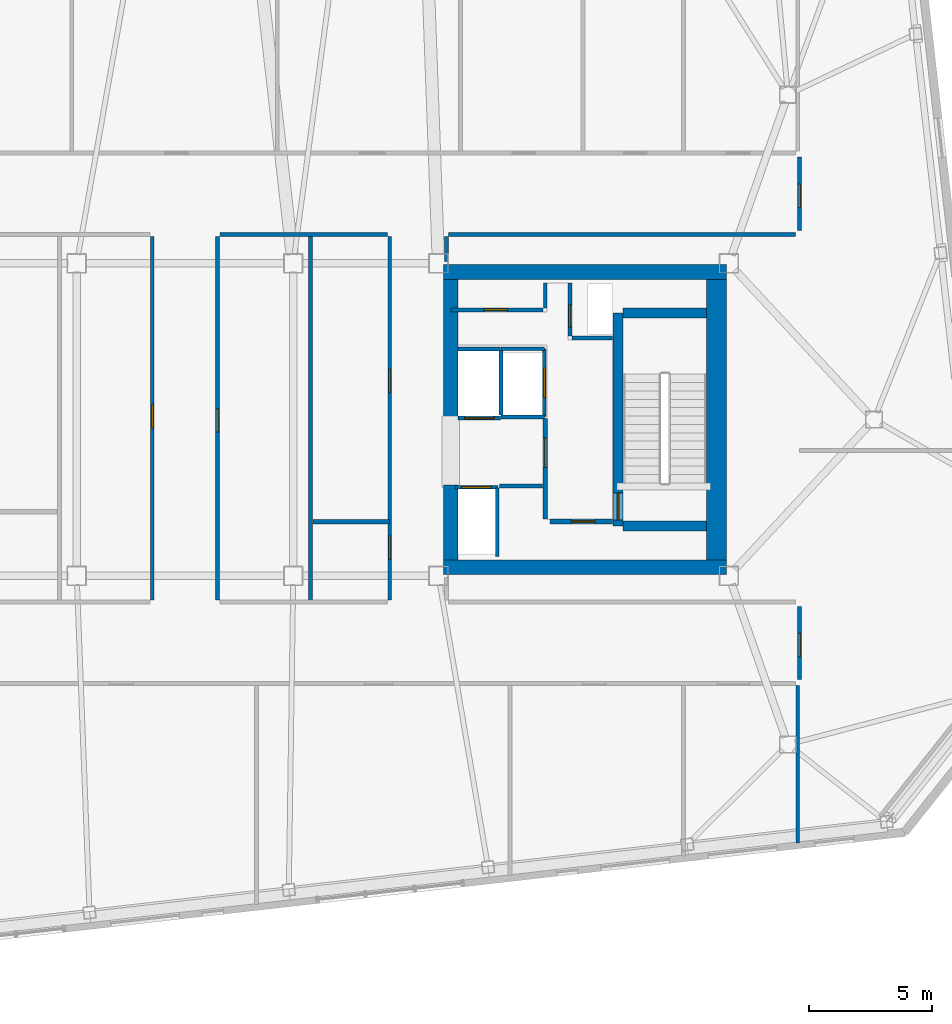
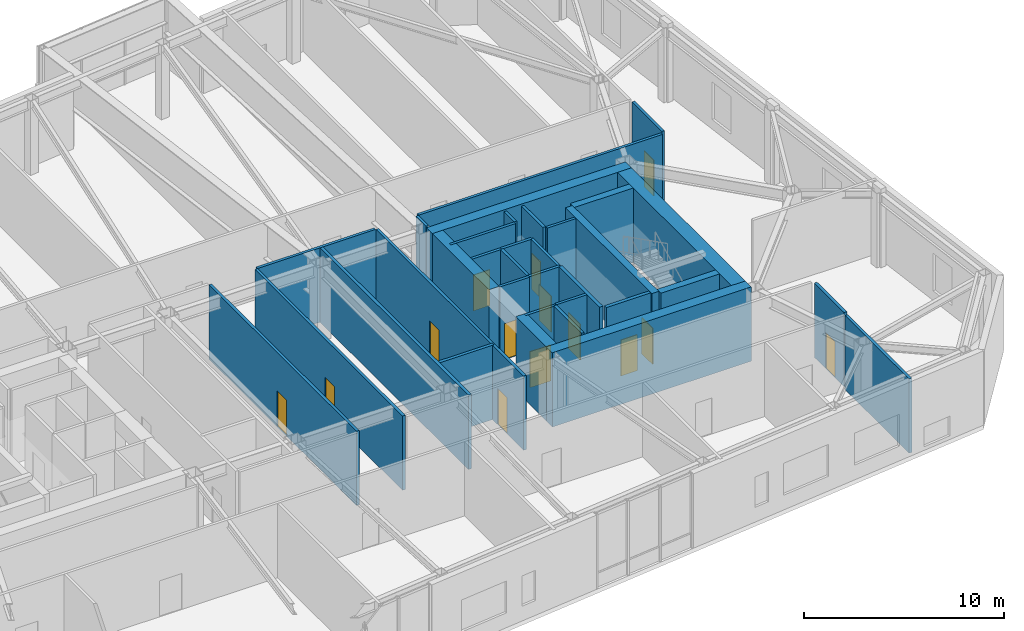
# One storey, part 16 of 21: 34 walls, 14 doors, 14 openings.
"""IFC4 building model written with IfcOpenShell, lengths in metres."""

import ifcopenshell
import ifcopenshell.guid

model = None  # the IFC model being written
_history = None  # IfcOwnerHistory: only IFC2X3 demands one
_inside = {}  # id of a spatial element -> (the spatial element, [elements in it])
_under = {}  # id of a project, library or spatial element -> (it, [spatial elements below it])
_declared = {}  # id of a project -> (the project, [libraries it declares])
_typed = {}  # id of a type object -> (the type object, [elements of that type])
_made_of = {}  # id of a material, layer set ... -> (it, [elements and type objects made of it])


def new_model(schema):
    """Start an empty IFC model of exactly this schema.

    Asked for "IFC4X3", IfcOpenShell would pick the latest addendum, in which some entities
    have other attributes; the version numbers below select the first issue.
    IFC2X3 requires an IfcOwnerHistory on every rooted entity: one is made here for all.
    """
    global model, _history
    if schema == "IFC4X3":
        model = ifcopenshell.file(schema_version=(4, 3, 0, 0))
    else:
        model = ifcopenshell.file(schema=schema)
    _inside.clear()
    _under.clear()
    _declared.clear()
    _typed.clear()
    _made_of.clear()
    _history = None
    if model.schema == "IFC2X3":
        org = make("IfcOrganization", Name="unknown")
        user = make(
            "IfcPersonAndOrganization",
            ThePerson=make("IfcPerson", FamilyName="unknown"),
            TheOrganization=org,
        )
        app = make(
            "IfcApplication",
            ApplicationDeveloper=org,
            Version="unknown",
            ApplicationFullName="unknown",
            ApplicationIdentifier="unknown",
        )
        _history = make(
            "IfcOwnerHistory",
            OwningUser=user,
            OwningApplication=app,
            ChangeAction="ADDED",
            CreationDate=0,
        )
    return model


def make(cls, **values):
    """One entity of the class cls with the attributes given. An attribute that is None is left unset."""
    return model.create_entity(
        cls, **{name: value for name, value in values.items() if value is not None}
    )


def rooted(cls, **values):
    """An entity with a GlobalId (a new one), such as an element, a storey or a relation."""
    return make(cls, GlobalId=ifcopenshell.guid.new(), OwnerHistory=_history, **values)


def si_unit(unit_type, name, prefix=None):
    """IfcSIUnit, for example si_unit("LENGTHUNIT", "METRE", prefix="MILLI")."""
    return make("IfcSIUnit", UnitType=unit_type, Prefix=prefix, Name=name)


def assignment(units):
    """IfcUnitAssignment: the units of a project."""
    return None if units is None else make("IfcUnitAssignment", Units=units)


def point(xyz):
    """IfcCartesianPoint."""
    return None if xyz is None else make("IfcCartesianPoint", Coordinates=xyz)


def direction(xyz):
    """IfcDirection."""
    return None if xyz is None else make("IfcDirection", DirectionRatios=xyz)


def frame(location, z_axis=None, x_axis=None):
    """IfcAxis2Placement3D, a coordinate frame: its origin and axes. An axis left out is left unset."""
    return make(
        "IfcAxis2Placement3D",
        Location=point(location),
        Axis=direction(z_axis),
        RefDirection=direction(x_axis),
    )


def frame_2d(location, x_axis=None):
    """IfcAxis2Placement2D, a coordinate frame in the plane: its origin and x axis."""
    return make(
        "IfcAxis2Placement2D", Location=point(location), RefDirection=direction(x_axis)
    )


def origin():
    """The frame at (0, 0, 0) with its axes left unset."""
    return frame((0.0, 0.0, 0.0))


def place(relative_to, where):
    """IfcLocalPlacement: puts the frame where relative to a parent placement (None: the world)."""
    return make(
        "IfcLocalPlacement", PlacementRelTo=relative_to, RelativePlacement=where
    )


def context(
    kind, dimensions, precision=None, world=None, true_north=None, identifier=None
):
    """IfcGeometricRepresentationContext, for example the 3D "Model" context."""
    return make(
        "IfcGeometricRepresentationContext",
        ContextIdentifier=identifier,
        ContextType=kind,
        CoordinateSpaceDimension=dimensions,
        Precision=precision,
        WorldCoordinateSystem=world,
        TrueNorth=true_north,
    )


def subcontext(parent, identifier, kind, view, scale=None):
    """IfcGeometricRepresentationSubContext, for example "Body" below "Model"."""
    return make(
        "IfcGeometricRepresentationSubContext",
        ContextIdentifier=identifier,
        ContextType=kind,
        ParentContext=parent,
        TargetScale=scale,
        TargetView=view,
    )


def project(units=None, contexts=None):
    """IfcProject with its units and contexts."""
    return rooted(
        "IfcProject",
        Name="project",
        RepresentationContexts=contexts,
        UnitsInContext=assignment(units),
    )


def spatial(cls, under=None, at=None, **own):
    """A site, building, storey or space (cls), placed at a placement, below another one or the project."""
    s = rooted(cls, ObjectPlacement=at, **own)
    if under is not None:
        _under.setdefault(under.id(), (under, []))[1].append(s)
    return s


def profile(cls, at=None, kind="AREA", **sizes):
    """A parametric profile (cls). Its sizes go by their IFC names, for example OverallWidth=200.0."""
    return make(cls, ProfileType=kind, Position=at, **sizes)


def rectangle(**sizes):
    """IfcRectangleProfileDef."""
    return profile("IfcRectangleProfileDef", **sizes)


def extrude(swept, where, along, depth):
    """IfcExtrudedAreaSolid: the profile swept, set in the frame where, extruded along a direction by depth."""
    return make(
        "IfcExtrudedAreaSolid",
        SweptArea=swept,
        Position=where,
        ExtrudedDirection=direction(along),
        Depth=depth,
    )


def shape(context_of_items, identifier, shape_type, items):
    """IfcShapeRepresentation: the items that make up one representation, for example the "Body"."""
    return make(
        "IfcShapeRepresentation",
        ContextOfItems=context_of_items,
        RepresentationIdentifier=identifier,
        RepresentationType=shape_type,
        Items=items,
    )


def material(Name=None, Category=None):
    """IfcMaterial."""
    return make("IfcMaterial", Name=Name, Category=Category)


def layer(
    of_material, thickness, ventilated=None, Name=None, Category=None, Priority=None
):
    """IfcMaterialLayer: one layer of a wall or slab, of a material (None: an air gap)."""
    return make(
        "IfcMaterialLayer",
        Material=of_material,
        LayerThickness=thickness,
        IsVentilated=ventilated,
        Name=Name,
        Category=Category,
        Priority=Priority,
    )


def layer_set(layers, Name=None):
    """IfcMaterialLayerSet."""
    return make("IfcMaterialLayerSet", MaterialLayers=layers, LayerSetName=Name)


def made_of(thing, what):
    """Note that an element or type object is made of a material, layer set ...; save() writes the relation."""
    if what is not None:
        _made_of.setdefault(what.id(), (what, []))[1].append(thing)
    return thing


def type_object(cls, material=None, **own):
    """A type object (cls), such as IfcWallType, which elements share."""
    return made_of(rooted(cls, **own), material)


def element(
    cls,
    number,
    at=None,
    inside=None,
    cuts=None,
    type_object=None,
    material=None,
    context=None,
    identifier="Body",
    shape_type=None,
    held_by="IfcProductDefinitionShape",
    body=None,
    shapes=None,
    **own,
):
    """One element of the class cls, such as IfcWall. Its Tag is "e" and its number.

    at: its placement. inside: the storey or other place that contains it. cuts: it is an
    opening in that element (IfcRelVoidsElement). A single representation is given by context,
    identifier, shape_type and body (its items); several are given by shapes. held_by: the class
    of the entity that holds the representations. save() writes the other relations.
    """
    e = rooted(cls, Tag="e%d" % number, ObjectPlacement=at, **own)
    if body is not None:
        shapes = [shape(context, identifier, shape_type, body)]
    if shapes is not None:
        e.Representation = make(held_by, Representations=shapes)
    if inside is not None:
        _inside.setdefault(inside.id(), (inside, []))[1].append(e)
    if cuts is not None:
        rooted(
            "IfcRelVoidsElement", RelatingBuildingElement=cuts, RelatedOpeningElement=e
        )
    if type_object is not None:
        _typed.setdefault(type_object.id(), (type_object, []))[1].append(e)
    return made_of(e, material)


def fill(opening, filler):
    """IfcRelFillsElement: the door or window that sits in an opening."""
    return rooted(
        "IfcRelFillsElement",
        RelatingOpeningElement=opening,
        RelatedBuildingElement=filler,
    )


def aggregate(whole, parts):
    """IfcRelAggregates: a whole, such as a stair, and the parts it consists of."""
    return rooted("IfcRelAggregates", RelatingObject=whole, RelatedObjects=parts)


def save(model, path):
    """Write the relations noted so far, then the file.

    IfcRelAggregates (storeys below a building ...), IfcRelContainedInSpatialStructure (elements
    in a storey), IfcRelDefinesByType, IfcRelAssociatesMaterial and IfcRelDeclares: one each for
    every whole, place, type object, material and project.
    """
    for whole, parts in _under.values():
        aggregate(whole, parts)
    for where, things in _inside.values():
        rooted(
            "IfcRelContainedInSpatialStructure",
            RelatedElements=things,
            RelatingStructure=where,
        )
    for kind, things in _typed.values():
        rooted("IfcRelDefinesByType", RelatedObjects=things, RelatingType=kind)
    for what, things in _made_of.values():
        rooted("IfcRelAssociatesMaterial", RelatedObjects=things, RelatingMaterial=what)
    for by, libraries in _declared.values():
        rooted("IfcRelDeclares", RelatingContext=by, RelatedDefinitions=libraries)
    model.write(path)


model = new_model("IFC4")

# Units and contexts
model_context = context("Model", 3, precision=1e-05, world=origin(), true_north=direction((0.0, 1.0)))
body_context = subcontext(model_context, "Body", "Model", "MODEL_VIEW")
ifc_project = project(units=[si_unit("LENGTHUNIT", "METRE"), si_unit("AREAUNIT", "SQUARE_METRE"), si_unit("VOLUMEUNIT", "CUBIC_METRE"), si_unit("PLANEANGLEUNIT", "RADIAN"), si_unit("MASSUNIT", "GRAM", prefix="KILO")], contexts=[model_context])

# Site, building, storey
site_placement = place(None, origin())
site = spatial("IfcSite", under=ifc_project, at=site_placement, CompositionType="ELEMENT")
building_placement = place(site_placement, origin())
building = spatial("IfcBuilding", under=site, at=building_placement, Name="Tavrogorsk Clinical Tower", CompositionType="ELEMENT")
storey_placement = place(building_placement, frame((0.0, 0.0, 238.199951171875)))
storey = spatial("IfcBuildingStorey", under=building, at=storey_placement, Name="L55", CompositionType="ELEMENT", Elevation=238.199951171875)

# Wall, opening, door
ifc_material_1 = material(Name="Concrete B60", Category="concrete")
ifc_layer_1 = layer(ifc_material_1, 0.199951171875)
ifc_layer_set_1 = layer_set([ifc_layer_1], Name="Concrete B60")
wall_type_1 = type_object("IfcWallType", Name="CoreFireWall_200", PredefinedType="SOLIDWALL", material=ifc_layer_set_1)
wall_1_placement = place(storey_placement, frame((14.824951171875, -4.139892578125, 0.0), z_axis=(0.0, 0.0, 1.0), x_axis=(1.0, 0.0, 0.0)))
wall_1 = element("IfcWall", 1, at=wall_1_placement, inside=storey, type_object=wall_type_1, Name="L55 Core East South Core Room Fire Wall", PredefinedType="SOLIDWALL", context=body_context, shape_type="SweptSolid", body=[
    extrude(rectangle(XDim=2.554931640625, YDim=0.199951171875, at=frame_2d((1.27734375, 0.0))), origin(), (0.0, 0.0, 1.0), 4.5400390625),
])
opening_1_placement = place(wall_1_placement, frame((0.8798828125, 0.0, 0.0)))
opening_1 = element("IfcOpeningElement", 2, at=opening_1_placement, cuts=wall_1, Name="Opening ID-02", PredefinedType="OPENING", context=body_context, shape_type="SweptSolid", body=[
    extrude(rectangle(XDim=0.949951171875, YDim=2.199951171875, at=frame_2d((0.47509765625, 1.10009765625))), frame((0.0, 0.10986328125, 0.0), z_axis=(0.0, -1.0, 0.0), x_axis=(1.0, 0.0, 0.0)), (0.0, 0.0, 1.0), 0.219970703125),
])
ifc_material_2 = material(Name="Laminated timber leaf on aluminium frame", Category="wood")
door_type_1 = type_object("IfcDoorType", Name="InteriorDoor_ID02_950", OperationType="NOTDEFINED", PredefinedType="DOOR", material=ifc_material_2)
door_1_placement = place(opening_1_placement, origin())
door_1 = element("IfcDoor", 3, at=door_1_placement, inside=storey, type_object=door_type_1, Name="L55 Core East South Core Room Door", OperationType="SINGLE_SWING_RIGHT", OverallHeight=2.199951171875, OverallWidth=0.949951171875, PredefinedType="DOOR", context=body_context, shape_type="SweptSolid", body=[
    extrude(rectangle(XDim=0.949951171875, YDim=2.199951171875, at=frame_2d((0.47509765625, 1.10009765625))), frame((0.0, 0.02490234375, 0.0), z_axis=(0.0, -1.0, 0.0), x_axis=(1.0, 0.0, 0.0)), (0.0, 0.0, 1.0), 0.050048828125),
])
fill(opening_1, door_1)

wall_2_placement = place(storey_placement, frame((14.639892578125, -4.034912109375, 0.0), z_axis=(0.0, 0.0, 1.0), x_axis=(0.0, 1.0, 0.0)))
wall_2 = element("IfcWall", 4, at=wall_2_placement, inside=storey, type_object=wall_type_1, Name="L55 Core East Firefighting Lobby Fire Wall", PredefinedType="SOLIDWALL", context=body_context, shape_type="SweptSolid", body=[
    extrude(rectangle(XDim=4.074951171875, YDim=0.199951171875, at=frame_2d((2.03759765625, 0.0))), origin(), (0.0, 0.0, 1.0), 4.5400390625),
])
opening_2_placement = place(wall_2_placement, frame((2.090087890625, 0.0, 0.0)))
opening_2 = element("IfcOpeningElement", 5, at=opening_2_placement, cuts=wall_2, Name="Opening FD-01", PredefinedType="OPENING", context=body_context, shape_type="SweptSolid", body=[
    extrude(rectangle(XDim=1.199951171875, YDim=2.199951171875, at=frame_2d((0.60009765625, 1.10009765625))), frame((0.0, 0.10986328125, 0.0), z_axis=(0.0, -1.0, 0.0), x_axis=(1.0, 0.0, 0.0)), (0.0, 0.0, 1.0), 0.219970703125),
])
ifc_material_3 = material(Name="Galvanised steel fire-rated door assembly", Category="steel")
door_type_2 = type_object("IfcDoorType", Name="FireDoor_FD01_1200", OperationType="NOTDEFINED", PredefinedType="DOOR", material=ifc_material_3)
door_2_placement = place(opening_2_placement, origin())
door_2 = element("IfcDoor", 6, at=door_2_placement, inside=storey, type_object=door_type_2, Name="L55 Core East Firefighting Lobby Entry Door", OperationType="SINGLE_SWING_RIGHT", OverallHeight=2.199951171875, OverallWidth=1.199951171875, PredefinedType="DOOR", context=body_context, shape_type="SweptSolid", body=[
    extrude(rectangle(XDim=1.199951171875, YDim=2.199951171875, at=frame_2d((0.60009765625, 1.10009765625))), frame((0.0, 0.02490234375, 0.0), z_axis=(0.0, -1.0, 0.0), x_axis=(1.0, 0.0, 0.0)), (0.0, 0.0, 1.0), 0.050048828125),
])
fill(opening_2, door_2)

# Wall
ifc_material_4 = material(Name="Lightweight concrete blockwork B15", Category="masonry")
ifc_layer_2 = layer(ifc_material_4, 0.159912109375)
ifc_layer_set_2 = layer_set([ifc_layer_2], Name="Lightweight concrete blockwork B15")
wall_type_2 = type_object("IfcWallType", Name="PartitionWall_160", PredefinedType="PARTITIONING", material=ifc_layer_set_2)
wall_3_placement = place(storey_placement, frame((12.77490234375, -2.699951171875, 0.0), z_axis=(0.0, 0.0, 1.0), x_axis=(1.0, 0.0, 0.0)))
element("IfcWall", 7, at=wall_3_placement, inside=storey, type_object=wall_type_2, Name="L55 Core East Freed Low-Bank North Partition", PredefinedType="PARTITIONING", context=body_context, shape_type="SweptSolid", body=[
    extrude(rectangle(XDim=1.760009765625, YDim=0.159912109375, at=frame_2d((0.8798828125, 0.0))), origin(), (0.0, 0.0, 1.0), 4.5400390625),
])

# Wall, opening, door
wall_4_placement = place(storey_placement, frame((10.800048828125, 4.4599609375, 0.0), z_axis=(0.0, 0.0, 1.0), x_axis=(1.0, 0.0, 0.0)))
wall_4 = element("IfcWall", 8, at=wall_4_placement, inside=storey, type_object=wall_type_2, Name="L55 Core East Pneumatic Dispatch South Wall", PredefinedType="PARTITIONING", context=body_context, shape_type="SweptSolid", body=[
    extrude(rectangle(XDim=3.7548828125, YDim=0.159912109375, at=frame_2d((1.87744140625, 0.0))), origin(), (0.0, 0.0, 1.0), 4.5400390625),
])
opening_3_placement = place(wall_4_placement, frame((1.35009765625, 0.0, 0.0)))
opening_3 = element("IfcOpeningElement", 9, at=opening_3_placement, cuts=wall_4, Name="Opening ID-02", PredefinedType="OPENING", context=body_context, shape_type="SweptSolid", body=[
    extrude(rectangle(XDim=0.949951171875, YDim=2.199951171875, at=frame_2d((0.47509765625, 1.10009765625))), frame((0.0, 0.08984375, 0.0), z_axis=(0.0, -1.0, 0.0), x_axis=(1.0, 0.0, 0.0)), (0.0, 0.0, 1.0), 0.179931640625),
])
door_3_placement = place(opening_3_placement, origin())
door_3 = element("IfcDoor", 10, at=door_3_placement, inside=storey, type_object=door_type_1, Name="L55 Core East Pneumatic Dispatch Door", OperationType="SINGLE_SWING_LEFT", OverallHeight=2.199951171875, OverallWidth=0.949951171875, PredefinedType="DOOR", context=body_context, shape_type="SweptSolid", body=[
    extrude(rectangle(XDim=0.949951171875, YDim=2.199951171875, at=frame_2d((0.47509765625, 1.10009765625))), frame((0.0, 0.02490234375, 0.0), z_axis=(0.0, -1.0, 0.0), x_axis=(1.0, 0.0, 0.0)), (0.0, 0.0, 1.0), 0.050048828125),
])
fill(opening_3, door_3)

# Wall
wall_5_placement = place(storey_placement, frame((14.639892578125, 4.544921875, 0.0), z_axis=(0.0, 0.0, 1.0), x_axis=(0.0, 1.0, 0.0)))
element("IfcWall", 11, at=wall_5_placement, inside=storey, type_object=wall_type_2, Name="L55 Core East Pneumatic Dispatch East Wall", PredefinedType="PARTITIONING", context=body_context, shape_type="SweptSolid", body=[
    extrude(rectangle(XDim=1.01513671875, YDim=0.159912109375, at=frame_2d((0.507568359375, 0.0))), origin(), (0.0, 0.0, 1.0), 4.5400390625),
])

# Wall, opening, door
wall_6_placement = place(storey_placement, frame((24.97998046875, 10.6650390625, 0.0), z_axis=(0.0, 0.0, 1.0), x_axis=(0.0, -1.0, 0.0)))
wall_6 = element("IfcWall", 12, at=wall_6_placement, inside=storey, type_object=wall_type_2, Name="L55 Corridor Partition 08", PredefinedType="PARTITIONING", context=body_context, shape_type="SweptSolid", body=[
    extrude(rectangle(XDim=2.97998046875, YDim=0.159912109375, at=frame_2d((1.489990234375, 0.0))), origin(), (0.0, 0.0, 1.0), 4.5400390625),
])
opening_4_placement = place(wall_6_placement, frame((1.10009765625, 0.0, 0.0)))
opening_4 = element("IfcOpeningElement", 13, at=opening_4_placement, cuts=wall_6, Name="Opening ID-02", PredefinedType="OPENING", context=body_context, shape_type="SweptSolid", body=[
    extrude(rectangle(XDim=0.949951171875, YDim=2.199951171875, at=frame_2d((0.47509765625, 1.10009765625))), frame((0.0, 0.08984375, 0.0), z_axis=(0.0, -1.0, 0.0), x_axis=(1.0, 0.0, 0.0)), (0.0, 0.0, 1.0), 0.179931640625),
])
door_4_placement = place(opening_4_placement, origin())
door_4 = element("IfcDoor", 14, at=door_4_placement, inside=storey, type_object=door_type_1, Name="L55 E Multidisciplinary Seminar Suite 2 Door", OperationType="SINGLE_SWING_RIGHT", OverallHeight=2.199951171875, OverallWidth=0.949951171875, PredefinedType="DOOR", context=body_context, shape_type="SweptSolid", body=[
    extrude(rectangle(XDim=0.949951171875, YDim=2.199951171875, at=frame_2d((0.47509765625, 1.10009765625))), frame((0.0, 0.02490234375, 0.0), z_axis=(0.0, -1.0, 0.0), x_axis=(1.0, 0.0, 0.0)), (0.0, 0.0, 1.0), 0.050048828125),
])
fill(opening_4, door_4)

# Walls
wall_7_placement = place(storey_placement, frame((24.81494140625, 7.52001953125, 0.0), z_axis=(0.0, 0.0, 1.0), x_axis=(-1.0, 0.0, 0.0)))
element("IfcWall", 15, at=wall_7_placement, inside=storey, type_object=wall_type_2, Name="L55 Corridor Partition 09", PredefinedType="PARTITIONING", context=body_context, shape_type="SweptSolid", body=[
    extrude(rectangle(XDim=14.099853515625, YDim=0.159912109375, at=frame_2d((7.0498046875, 0.0))), origin(), (0.0, 0.0, 1.0), 4.5400390625),
])
wall_8_placement = place(storey_placement, frame((10.6298828125, 7.43505859375, 0.0), z_axis=(0.0, 0.0, 1.0), x_axis=(0.0, -1.0, 0.0)))
element("IfcWall", 16, at=wall_8_placement, inside=storey, type_object=wall_type_2, Name="L55 Corridor Partition 10", PredefinedType="PARTITIONING", context=body_context, shape_type="SweptSolid", body=[
    extrude(rectangle(XDim=1.01513671875, YDim=0.159912109375, at=frame_2d((0.507568359375, 0.0))), origin(), (0.0, 0.0, 1.0), 4.5400390625),
])

# Wall, opening, door
wall_9_placement = place(storey_placement, frame((24.97998046875, -7.5849609375, 0.0), z_axis=(0.0, 0.0, 1.0), x_axis=(0.0, -1.0, 0.0)))
wall_9 = element("IfcWall", 17, at=wall_9_placement, inside=storey, type_object=wall_type_2, Name="L55 Corridor Partition 13", PredefinedType="PARTITIONING", context=body_context, shape_type="SweptSolid", body=[
    extrude(rectangle(XDim=2.97998046875, YDim=0.159912109375, at=frame_2d((1.489990234375, 0.0))), origin(), (0.0, 0.0, 1.0), 4.5400390625),
])
opening_5_placement = place(wall_9_placement, frame((1.10009765625, 0.0, 0.0)))
opening_5 = element("IfcOpeningElement", 18, at=opening_5_placement, cuts=wall_9, Name="Opening ID-02", PredefinedType="OPENING", context=body_context, shape_type="SweptSolid", body=[
    extrude(rectangle(XDim=0.949951171875, YDim=2.199951171875, at=frame_2d((0.47509765625, 1.10009765625))), frame((0.0, 0.08984375, 0.0), z_axis=(0.0, -1.0, 0.0), x_axis=(1.0, 0.0, 0.0)), (0.0, 0.0, 1.0), 0.179931640625),
])
door_5_placement = place(opening_5_placement, origin())
door_5 = element("IfcDoor", 19, at=door_5_placement, inside=storey, type_object=door_type_1, Name="L55 E Senior Clinician Suite 1 Door", OperationType="SINGLE_SWING_LEFT", OverallHeight=2.199951171875, OverallWidth=0.949951171875, PredefinedType="DOOR", context=body_context, shape_type="SweptSolid", body=[
    extrude(rectangle(XDim=0.949951171875, YDim=2.199951171875, at=frame_2d((0.47509765625, 1.10009765625))), frame((0.0, 0.02490234375, 0.0), z_axis=(0.0, -1.0, 0.0), x_axis=(1.0, 0.0, 0.0)), (0.0, 0.0, 1.0), 0.050048828125),
])
fill(opening_5, door_5)

# Wall
wall_10_placement = place(storey_placement, frame((8.235107421875, 7.52001953125, 0.0), z_axis=(0.0, 0.0, 1.0), x_axis=(-1.0, 0.0, 0.0)))
element("IfcWall", 20, at=wall_10_placement, inside=storey, type_object=wall_type_2, Name="L55 Corridor Partition 15", PredefinedType="PARTITIONING", context=body_context, shape_type="SweptSolid", body=[
    extrude(rectangle(XDim=6.820068359375, YDim=0.159912109375, at=frame_2d((3.41015625, 0.0))), origin(), (0.0, 0.0, 1.0), 4.5400390625),
])

# Wall, opening, door
wall_11_placement = place(storey_placement, frame((1.330078125, 7.43505859375, 0.0), z_axis=(0.0, 0.0, 1.0), x_axis=(0.0, -1.0, 0.0)))
wall_11 = element("IfcWall", 21, at=wall_11_placement, inside=storey, type_object=wall_type_2, Name="L55 Corridor Partition 16", PredefinedType="PARTITIONING", context=body_context, shape_type="SweptSolid", body=[
    extrude(rectangle(XDim=14.77001953125, YDim=0.159912109375, at=frame_2d((7.385009765625, 0.0))), origin(), (0.0, 0.0, 1.0), 4.5400390625),
])
opening_6_placement = place(wall_11_placement, frame((6.9951171875, 0.0, 0.0)))
opening_6 = element("IfcOpeningElement", 22, at=opening_6_placement, cuts=wall_11, Name="Opening ID-02", PredefinedType="OPENING", context=body_context, shape_type="SweptSolid", body=[
    extrude(rectangle(XDim=0.949951171875, YDim=2.199951171875, at=frame_2d((0.47509765625, 1.10009765625))), frame((0.0, 0.08984375, 0.0), z_axis=(0.0, -1.0, 0.0), x_axis=(1.0, 0.0, 0.0)), (0.0, 0.0, 1.0), 0.179931640625),
])
door_6_placement = place(opening_6_placement, origin())
door_6 = element("IfcDoor", 23, at=door_6_placement, inside=storey, type_object=door_type_1, Name="L55 Clean Medication Preparation Room Door", OperationType="SINGLE_SWING_RIGHT", OverallHeight=2.199951171875, OverallWidth=0.949951171875, PredefinedType="DOOR", context=body_context, shape_type="SweptSolid", body=[
    extrude(rectangle(XDim=0.949951171875, YDim=2.199951171875, at=frame_2d((0.47509765625, 1.10009765625))), frame((0.0, 0.02490234375, 0.0), z_axis=(0.0, -1.0, 0.0), x_axis=(1.0, 0.0, 0.0)), (0.0, 0.0, 1.0), 0.050048828125),
])
fill(opening_6, door_6)

# Wall, openings, doors
wall_12_placement = place(storey_placement, frame((8.320068359375, -7.3349609375, 0.0), z_axis=(0.0, 0.0, 1.0), x_axis=(0.0, 1.0, 0.0)))
wall_12 = element("IfcWall", 24, at=wall_12_placement, inside=storey, type_object=wall_type_2, Name="L55 Corridor Partition 18", PredefinedType="PARTITIONING", context=body_context, shape_type="SweptSolid", body=[
    extrude(rectangle(XDim=14.77001953125, YDim=0.159912109375, at=frame_2d((7.385009765625, 0.0))), origin(), (0.0, 0.0, 1.0), 4.5400390625),
])
opening_7_placement = place(wall_12_placement, frame((1.654052734375, 0.0, 0.0)))
opening_7 = element("IfcOpeningElement", 25, at=opening_7_placement, cuts=wall_12, Name="Opening ID-02", PredefinedType="OPENING", context=body_context, shape_type="SweptSolid", body=[
    extrude(rectangle(XDim=0.949951171875, YDim=2.199951171875, at=frame_2d((0.47509765625, 1.10009765625))), frame((0.0, 0.08984375, 0.0), z_axis=(0.0, -1.0, 0.0), x_axis=(1.0, 0.0, 0.0)), (0.0, 0.0, 1.0), 0.179931640625),
])
opening_8_placement = place(wall_12_placement, frame((8.435791015625, 0.0, 0.0)))
opening_8 = element("IfcOpeningElement", 26, at=opening_8_placement, cuts=wall_12, Name="Opening ID-02", PredefinedType="OPENING", context=body_context, shape_type="SweptSolid", body=[
    extrude(rectangle(XDim=0.949951171875, YDim=2.199951171875, at=frame_2d((0.47509765625, 1.10009765625))), frame((0.0, 0.08984375, 0.0), z_axis=(0.0, -1.0, 0.0), x_axis=(1.0, 0.0, 0.0)), (0.0, 0.0, 1.0), 0.179931640625),
])
door_7_placement = place(opening_7_placement, origin())
door_7 = element("IfcDoor", 27, at=door_7_placement, inside=storey, type_object=door_type_1, Name="L55 Staff & Visitor Accessible WC Door", OperationType="SINGLE_SWING_LEFT", OverallHeight=2.199951171875, OverallWidth=0.949951171875, PredefinedType="DOOR", context=body_context, shape_type="SweptSolid", body=[
    extrude(rectangle(XDim=0.949951171875, YDim=2.199951171875, at=frame_2d((0.47509765625, 1.10009765625))), frame((0.0, 0.02490234375, 0.0), z_axis=(0.0, -1.0, 0.0), x_axis=(1.0, 0.0, 0.0)), (0.0, 0.0, 1.0), 0.050048828125),
])
fill(opening_7, door_7)
door_8_placement = place(opening_8_placement, origin())
door_8 = element("IfcDoor", 28, at=door_8_placement, inside=storey, type_object=door_type_1, Name="L55 Resident Clinician Study Door", OperationType="SINGLE_SWING_RIGHT", OverallHeight=2.199951171875, OverallWidth=0.949951171875, PredefinedType="DOOR", context=body_context, shape_type="SweptSolid", body=[
    extrude(rectangle(XDim=0.949951171875, YDim=2.199951171875, at=frame_2d((0.47509765625, 1.10009765625))), frame((0.0, 0.02490234375, 0.0), z_axis=(0.0, -1.0, 0.0), x_axis=(1.0, 0.0, 0.0)), (0.0, 0.0, 1.0), 0.050048828125),
])
fill(opening_8, door_8)

# Wall, opening, door
wall_13_placement = place(storey_placement, frame((-1.330078125, -7.3349609375, 0.0), z_axis=(0.0, 0.0, 1.0), x_axis=(0.0, 1.0, 0.0)))
wall_13 = element("IfcWall", 29, at=wall_13_placement, inside=storey, type_object=wall_type_2, Name="L55 Corridor Partition 19", PredefinedType="PARTITIONING", context=body_context, shape_type="SweptSolid", body=[
    extrude(rectangle(XDim=14.77001953125, YDim=0.159912109375, at=frame_2d((7.385009765625, 0.0))), origin(), (0.0, 0.0, 1.0), 4.5400390625),
])
opening_9_placement = place(wall_13_placement, frame((6.9951171875, 0.0, 0.0)))
opening_9 = element("IfcOpeningElement", 30, at=opening_9_placement, cuts=wall_13, Name="Opening ID-02", PredefinedType="OPENING", context=body_context, shape_type="SweptSolid", body=[
    extrude(rectangle(XDim=0.949951171875, YDim=2.199951171875, at=frame_2d((0.47509765625, 1.10009765625))), frame((0.0, 0.08984375, 0.0), z_axis=(0.0, -1.0, 0.0), x_axis=(1.0, 0.0, 0.0)), (0.0, 0.0, 1.0), 0.179931640625),
])
door_9_placement = place(opening_9_placement, origin())
door_9 = element("IfcDoor", 31, at=door_9_placement, inside=storey, type_object=door_type_1, Name="L55 Nurses' Station & Telemetry Hub Door", OperationType="SINGLE_SWING_LEFT", OverallHeight=2.199951171875, OverallWidth=0.949951171875, PredefinedType="DOOR", context=body_context, shape_type="SweptSolid", body=[
    extrude(rectangle(XDim=0.949951171875, YDim=2.199951171875, at=frame_2d((0.47509765625, 1.10009765625))), frame((0.0, 0.02490234375, 0.0), z_axis=(0.0, -1.0, 0.0), x_axis=(1.0, 0.0, 0.0)), (0.0, 0.0, 1.0), 0.050048828125),
])
fill(opening_9, door_9)

# Walls
wall_14_placement = place(storey_placement, frame((24.89990234375, -17.199462890625, 0.0), z_axis=(0.0, 0.0, 1.0), x_axis=(0.0, 1.0, 0.0)))
element("IfcWall", 32, at=wall_14_placement, inside=storey, type_object=wall_type_2, Name="L55 SE Wing Closure Partition", PredefinedType="PARTITIONING", context=body_context, shape_type="SweptSolid", body=[
    extrude(rectangle(XDim=6.384521484375, YDim=0.159912109375, at=frame_2d((3.1923828125, 0.0))), origin(), (0.0, 0.0, 1.0), 4.5400390625),
])
ifc_material_5 = material(Name="Lightweight concrete blockwork B20", Category="masonry")
ifc_layer_3 = layer(ifc_material_5, 0.179931640625)
ifc_layer_set_3 = layer_set([ifc_layer_3], Name="Lightweight concrete blockwork B20")
wall_type_3 = type_object("IfcWallType", Name="PartitionWall_180", PredefinedType="PARTITIONING", material=ifc_layer_set_3)
wall_15_placement = place(storey_placement, frame((5.10009765625, -7.4150390625, 0.0), z_axis=(0.0, 0.0, 1.0), x_axis=(0.0, 1.0, 0.0)))
element("IfcWall", 33, at=wall_15_placement, inside=storey, type_object=wall_type_3, Name="L55 Central Spine Partition 2", PredefinedType="PARTITIONING", context=body_context, shape_type="SweptSolid", body=[
    extrude(rectangle(XDim=14.929931640625, YDim=0.179931640625, at=frame_2d((7.46484375, 0.0))), origin(), (0.0, 0.0, 1.0), 4.5400390625),
])
wall_16_placement = place(storey_placement, frame((5.195068359375, -4.14990234375, 0.0), z_axis=(0.0, 0.0, 1.0), x_axis=(1.0, 0.0, 0.0)))
element("IfcWall", 34, at=wall_16_placement, inside=storey, type_object=wall_type_3, Name="L55 Central Spine Partition 4", PredefinedType="PARTITIONING", context=body_context, shape_type="SweptSolid", body=[
    extrude(rectangle(XDim=3.119873046875, YDim=0.179931640625, at=frame_2d((1.56005859375, 0.0))), origin(), (0.0, 0.0, 1.0), 4.5400390625),
])

# Wall, opening, door
ifc_material_6 = material(Name="Lightweight concrete blockwork B25", Category="masonry")
ifc_layer_4 = layer(ifc_material_6, 0.159912109375)
ifc_layer_set_4 = layer_set([ifc_layer_4], Name="Lightweight concrete blockwork B25")
wall_type_4 = type_object("IfcWallType", Name="ShaftWall_160", PredefinedType="PARTITIONING", material=ifc_layer_set_4)
wall_17_placement = place(storey_placement, frame((14.60009765625, 0.1201171875, 0.0), z_axis=(0.0, 0.0, 1.0), x_axis=(0.0, 1.0, 0.0)))
wall_17 = element("IfcWall", 35, at=wall_17_placement, inside=storey, type_object=wall_type_4, Name="L55 FFL-E Firefighting Lift Front Wall", PredefinedType="PARTITIONING", context=body_context, shape_type="SweptSolid", body=[
    extrude(rectangle(XDim=2.739990234375, YDim=0.159912109375, at=frame_2d((1.3701171875, 0.0))), origin(), (0.0, 0.0, 1.0), 4.5400390625),
])
opening_10_placement = place(wall_17_placement, frame((0.77001953125, 0.0, 0.0)))
opening_10 = element("IfcOpeningElement", 36, at=opening_10_placement, cuts=wall_17, Name="Opening LD", PredefinedType="OPENING", context=body_context, shape_type="SweptSolid", body=[
    extrude(rectangle(XDim=1.199951171875, YDim=2.199951171875, at=frame_2d((0.60009765625, 1.10009765625))), frame((0.0, 0.08984375, 0.0), z_axis=(0.0, -1.0, 0.0), x_axis=(1.0, 0.0, 0.0)), (0.0, 0.0, 1.0), 0.179931640625),
])
ifc_material_7 = material(Name="Brushed stainless steel AISI 304 sliding doors", Category="steel")
door_type_3 = type_object("IfcDoorType", Name="LiftLandingDoor_LD_1200", OperationType="SLIDING_TO_LEFT", PredefinedType="DOOR", material=ifc_material_7)
door_10_placement = place(opening_10_placement, origin())
door_10 = element("IfcDoor", 37, at=door_10_placement, inside=storey, type_object=door_type_3, Name="L55 FFL-E Sliding Lift Landing Door", OperationType="SLIDING_TO_LEFT", OverallHeight=2.199951171875, OverallWidth=1.199951171875, PredefinedType="DOOR", context=body_context, shape_type="SweptSolid", body=[
    extrude(rectangle(XDim=1.199951171875, YDim=2.199951171875, at=frame_2d((0.60009765625, 1.10009765625))), frame((0.0, 0.02490234375, 0.0), z_axis=(0.0, -1.0, 0.0), x_axis=(1.0, 0.0, 0.0)), (0.0, 0.0, 1.0), 0.050048828125),
])
fill(opening_10, door_10)

# Walls
for number, where, z_axis, x_axis, name in (
    (38, (12.840087890625, 0.10009765625, 0.0), (0.0, 0.0, 1.0), (1.0, 0.0, 0.0), "L55 FFL-E Shaft South Wall"),
    (39, (12.840087890625, 2.8798828125, 0.0), (0.0, 0.0, 1.0), (1.0, 0.0, 0.0), "L55 FFL-E Shaft North Wall"),
):
    element("IfcWall", number, at=place(storey_placement, frame(where, z_axis=z_axis, x_axis=x_axis)), inside=storey, type_object=wall_type_4, Name=name, PredefinedType="PARTITIONING", context=body_context, shape_type="SweptSolid", body=[
        extrude(rectangle(XDim=1.760009765625, YDim=0.159912109375, at=frame_2d((0.8798828125, 0.0))), origin(), (0.0, 0.0, 1.0), 4.5400390625),
    ])
wall_18_placement = place(storey_placement, frame((12.840087890625, 0.179931640625, 0.0), z_axis=(0.0, 0.0, 1.0), x_axis=(0.0, 1.0, 0.0)))
element("IfcWall", 40, at=wall_18_placement, inside=storey, type_object=wall_type_4, Name="L55 FFL-E Shaft Back Wall", PredefinedType="PARTITIONING", context=body_context, shape_type="SweptSolid", body=[
    extrude(rectangle(XDim=2.6201171875, YDim=0.159912109375, at=frame_2d((1.31005859375, 0.0))), origin(), (0.0, 0.0, 1.0), 4.5400390625),
])

# Wall, opening, door
wall_19_placement = place(storey_placement, frame((10.969970703125, -2.75, 0.0), z_axis=(0.0, 0.0, 1.0), x_axis=(1.0, 0.0, 0.0)))
wall_19 = element("IfcWall", 41, at=wall_19_placement, inside=storey, type_object=wall_type_4, Name="L55 LP-M2 Lift Shaft Portal Wall", PredefinedType="PARTITIONING", context=body_context, shape_type="SweptSolid", body=[
    extrude(rectangle(XDim=1.760009765625, YDim=0.159912109375, at=frame_2d((0.8798828125, 0.0))), origin(), (0.0, 0.0, 1.0), 4.5400390625),
])
opening_11_placement = place(wall_19_placement, frame((0.280029296875, 0.0, 0.0)))
opening_11 = element("IfcOpeningElement", 42, at=opening_11_placement, cuts=wall_19, Name="Opening LD", PredefinedType="OPENING", context=body_context, shape_type="SweptSolid", body=[
    extrude(rectangle(XDim=1.199951171875, YDim=2.199951171875, at=frame_2d((0.60009765625, 1.10009765625))), frame((0.0, 0.08984375, 0.0), z_axis=(0.0, -1.0, 0.0), x_axis=(1.0, 0.0, 0.0)), (0.0, 0.0, 1.0), 0.179931640625),
])
door_11_placement = place(opening_11_placement, origin())
door_11 = element("IfcDoor", 43, at=door_11_placement, inside=storey, type_object=door_type_3, Name="L55 LP-M2 Sliding Lift Landing Door", OperationType="SLIDING_TO_LEFT", OverallHeight=2.199951171875, OverallWidth=1.199951171875, PredefinedType="DOOR", context=body_context, shape_type="SweptSolid", body=[
    extrude(rectangle(XDim=1.199951171875, YDim=2.199951171875, at=frame_2d((0.60009765625, 1.10009765625))), frame((0.0, 0.02490234375, 0.0), z_axis=(0.0, -1.0, 0.0), x_axis=(1.0, 0.0, 0.0)), (0.0, 0.0, 1.0), 0.050048828125),
])
fill(opening_11, door_11)

wall_20_placement = place(storey_placement, frame((11.10009765625, 0.06005859375, 0.0), z_axis=(0.0, 0.0, 1.0), x_axis=(1.0, 0.0, 0.0)))
wall_20 = element("IfcWall", 44, at=wall_20_placement, inside=storey, type_object=wall_type_4, Name="L55 LP-H2 High-Zone Lift Portal Wall", PredefinedType="PARTITIONING", context=body_context, shape_type="SweptSolid", body=[
    extrude(rectangle(XDim=1.719970703125, YDim=0.159912109375, at=frame_2d((0.85986328125, 0.0))), origin(), (0.0, 0.0, 1.0), 4.5400390625),
])
opening_12_placement = place(wall_20_placement, frame((0.260009765625, 0.0, 0.0)))
opening_12 = element("IfcOpeningElement", 45, at=opening_12_placement, cuts=wall_20, Name="Opening LD", PredefinedType="OPENING", context=body_context, shape_type="SweptSolid", body=[
    extrude(rectangle(XDim=1.199951171875, YDim=2.199951171875, at=frame_2d((0.60009765625, 1.10009765625))), frame((0.0, 0.08984375, 0.0), z_axis=(0.0, -1.0, 0.0), x_axis=(1.0, 0.0, 0.0)), (0.0, 0.0, 1.0), 0.179931640625),
])
door_12_placement = place(opening_12_placement, origin())
door_12 = element("IfcDoor", 46, at=door_12_placement, inside=storey, type_object=door_type_3, Name="L55 LP-H2 Sliding Lift Landing Door", OperationType="SLIDING_TO_LEFT", OverallHeight=2.199951171875, OverallWidth=1.199951171875, PredefinedType="DOOR", context=body_context, shape_type="SweptSolid", body=[
    extrude(rectangle(XDim=1.199951171875, YDim=2.199951171875, at=frame_2d((0.60009765625, 1.10009765625))), frame((0.0, 0.02490234375, 0.0), z_axis=(0.0, -1.0, 0.0), x_axis=(1.0, 0.0, 0.0)), (0.0, 0.0, 1.0), 0.050048828125),
])
fill(opening_12, door_12)

# Wall
wall_21_placement = place(storey_placement, frame((11.10009765625, 2.860107421875, 0.0), z_axis=(0.0, 0.0, 1.0), x_axis=(1.0, 0.0, 0.0)))
element("IfcWall", 47, at=wall_21_placement, inside=storey, type_object=wall_type_4, Name="L55 LP-H2 High-Zone Lift Rear Wall", PredefinedType="PARTITIONING", context=body_context, shape_type="SweptSolid", body=[
    extrude(rectangle(XDim=1.719970703125, YDim=0.159912109375, at=frame_2d((0.85986328125, 0.0))), origin(), (0.0, 0.0, 1.0), 4.5400390625),
])

# Wall, opening, door
wall_22_placement = place(storey_placement, frame((15.639892578125, 3.405029296875, 0.0), z_axis=(0.0, 0.0, 1.0), x_axis=(0.0, 1.0, 0.0)))
wall_22 = element("IfcWall", 48, at=wall_22_placement, inside=storey, type_object=wall_type_4, Name="L55 Core East Riser West Wall", PredefinedType="PARTITIONING", context=body_context, shape_type="SweptSolid", body=[
    extrude(rectangle(XDim=2.155029296875, YDim=0.159912109375, at=frame_2d((1.07763671875, 0.0))), origin(), (0.0, 0.0, 1.0), 4.5400390625),
])
opening_13_placement = place(wall_22_placement, frame((0.35009765625, 0.0, 0.0)))
opening_13 = element("IfcOpeningElement", 49, at=opening_13_placement, cuts=wall_22, Name="Opening FD-02", PredefinedType="OPENING", context=body_context, shape_type="SweptSolid", body=[
    extrude(rectangle(XDim=0.89990234375, YDim=2.199951171875, at=frame_2d((0.449951171875, 1.10009765625))), frame((0.0, 0.08984375, 0.0), z_axis=(0.0, -1.0, 0.0), x_axis=(1.0, 0.0, 0.0)), (0.0, 0.0, 1.0), 0.179931640625),
])
ifc_material_8 = material(Name="Galvanised steel fire-rated door assembly", Category="steel")
door_type_4 = type_object("IfcDoorType", Name="FireDoor_FD02_900", OperationType="NOTDEFINED", PredefinedType="DOOR", material=ifc_material_8)
door_13_placement = place(opening_13_placement, origin())
door_13 = element("IfcDoor", 50, at=door_13_placement, inside=storey, type_object=door_type_4, Name="L55 Core East Electrical Riser Access Door", OperationType="SINGLE_SWING_LEFT", OverallHeight=2.199951171875, OverallWidth=0.89990234375, PredefinedType="DOOR", context=body_context, shape_type="SweptSolid", body=[
    extrude(rectangle(XDim=0.89990234375, YDim=2.199951171875, at=frame_2d((0.449951171875, 1.10009765625))), frame((0.0, 0.02490234375, 0.0), z_axis=(0.0, -1.0, 0.0), x_axis=(1.0, 0.0, 0.0)), (0.0, 0.0, 1.0), 0.050048828125),
])
fill(opening_13, door_13)

# Walls
wall_23_placement = place(storey_placement, frame((15.72509765625, 3.320068359375, 0.0), z_axis=(0.0, 0.0, 1.0), x_axis=(1.0, 0.0, 0.0)))
element("IfcWall", 51, at=wall_23_placement, inside=storey, type_object=wall_type_4, Name="L55 Core East Riser South Wall", PredefinedType="PARTITIONING", context=body_context, shape_type="SweptSolid", body=[
    extrude(rectangle(XDim=1.65478515625, YDim=0.159912109375, at=frame_2d((0.827392578125, 0.0))), origin(), (0.0, 0.0, 1.0), 4.5400390625),
])
wall_24_placement = place(storey_placement, frame((12.68994140625, -5.56005859375, 0.0), z_axis=(0.0, 0.0, 1.0), x_axis=(0.0, 1.0, 0.0)))
element("IfcWall", 52, at=wall_24_placement, inside=storey, type_object=wall_type_4, Name="L55 Core East Freed Low-Bank Shaft Divider", PredefinedType="PARTITIONING", context=body_context, shape_type="SweptSolid", body=[
    extrude(rectangle(XDim=2.775146484375, YDim=0.159912109375, at=frame_2d((1.3876953125, 0.0))), origin(), (0.0, 0.0, 1.0), 4.5400390625),
])

# Wall, opening, door
ifc_material_9 = material(Name="Concrete B80", Category="concrete")
ifc_layer_5 = layer(ifc_material_9, 0.39990234375)
ifc_layer_set_5 = layer_set([ifc_layer_5], Name="Concrete B80")
wall_type_5 = type_object("IfcWallType", Name="ShearWall_400", PredefinedType="SHEAR", material=ifc_layer_set_5)
wall_25_placement = place(storey_placement, frame((17.60009765625, -4.324951171875, 0.0), z_axis=(0.0, 0.0, 1.0), x_axis=(0.0, 1.0, 0.0)))
wall_25 = element("IfcWall", 53, at=wall_25_placement, inside=storey, type_object=wall_type_5, Name="L55 Core East Stair Shaft Inner Shear Wall", PredefinedType="SHEAR", context=body_context, shape_type="SweptSolid", body=[
    extrude(rectangle(XDim=8.64990234375, YDim=0.39990234375, at=frame_2d((4.324951171875, 0.0))), origin(), (0.0, 0.0, 1.0), 4.5400390625),
])
opening_14_placement = place(wall_25_placement, frame((0.25, 0.0, 0.0)))
opening_14 = element("IfcOpeningElement", 54, at=opening_14_placement, cuts=wall_25, Name="Opening SD-01", PredefinedType="OPENING", context=body_context, shape_type="SweptSolid", body=[
    extrude(rectangle(XDim=1.10009765625, YDim=2.199951171875, at=frame_2d((0.550048828125, 1.10009765625))), frame((0.0, 0.2099609375, 0.0), z_axis=(0.0, -1.0, 0.0), x_axis=(1.0, 0.0, 0.0)), (0.0, 0.0, 1.0), 0.419921875),
])
ifc_material_10 = material(Name="Galvanised steel smoke-tight fire door assembly", Category="steel")
door_type_5 = type_object("IfcDoorType", Name="StairFireDoor_SD01_1100", OperationType="NOTDEFINED", PredefinedType="DOOR", material=ifc_material_10)
door_14_placement = place(opening_14_placement, origin())
door_14 = element("IfcDoor", 55, at=door_14_placement, inside=storey, type_object=door_type_5, Name="L55 ST-E Exit Stair Door", OperationType="SINGLE_SWING_LEFT", OverallHeight=2.199951171875, OverallWidth=1.10009765625, PredefinedType="DOOR", context=body_context, shape_type="SweptSolid", body=[
    extrude(rectangle(XDim=1.10009765625, YDim=2.199951171875, at=frame_2d((0.550048828125, 1.10009765625))), frame((0.0, 0.02490234375, 0.0), z_axis=(0.0, -1.0, 0.0), x_axis=(1.0, 0.0, 0.0)), (0.0, 0.0, 1.0), 0.050048828125),
])
fill(opening_14, door_14)

# Walls
for number, where, z_axis, x_axis, name in (
    (56, (17.800048828125, -4.324951171875, 0.0), (0.0, 0.0, 1.0), (1.0, 0.0, 0.0), "L55 Core East Stair Shaft South Shear Wall"),
    (57, (17.800048828125, 4.324951171875, 0.0), (0.0, 0.0, 1.0), (1.0, 0.0, 0.0), "L55 Core East Stair Shaft North Shear Wall"),
):
    element("IfcWall", number, at=place(storey_placement, frame(where, z_axis=z_axis, x_axis=x_axis)), inside=storey, type_object=wall_type_5, Name=name, PredefinedType="SHEAR", context=body_context, shape_type="SweptSolid", body=[
        extrude(rectangle(XDim=3.39990234375, YDim=0.39990234375, at=frame_2d((1.699951171875, 0.0))), origin(), (0.0, 0.0, 1.0), 4.5400390625),
    ])
ifc_material_11 = material(Name="Concrete B80", Category="concrete")
ifc_layer_6 = layer(ifc_material_11, 0.60009765625)
ifc_layer_set_6 = layer_set([ifc_layer_6], Name="Concrete B80")
wall_type_6 = type_object("IfcWallType", Name="ShearWall_600", PredefinedType="SHEAR", material=ifc_layer_set_6)
for number, where, z_axis, x_axis, name in (
    (58, (10.5, 6.0, 0.0), (0.0, 0.0, 1.0), (1.0, 0.0, 0.0), "L55 Core East North Shear Wall"),
    (59, (10.5, -6.0, 0.0), (0.0, 0.0, 1.0), (1.0, 0.0, 0.0), "L55 Core East South Shear Wall"),
):
    element("IfcWall", number, at=place(storey_placement, frame(where, z_axis=z_axis, x_axis=x_axis)), inside=storey, type_object=wall_type_6, Name=name, PredefinedType="SHEAR", context=body_context, shape_type="SweptSolid", body=[
        extrude(rectangle(XDim=11.5, YDim=0.60009765625, at=frame_2d((5.75, 0.0))), origin(), (0.0, 0.0, 1.0), 4.5400390625),
    ])
wall_26_placement = place(storey_placement, frame((10.800048828125, -5.699951171875, 0.0), z_axis=(0.0, 0.0, 1.0), x_axis=(0.0, 1.0, 0.0)))
element("IfcWall", 60, at=wall_26_placement, inside=storey, type_object=wall_type_6, Name="L55 Core East Inner South Pier", PredefinedType="SHEAR", context=body_context, shape_type="SweptSolid", body=[
    extrude(rectangle(XDim=3.050048828125, YDim=0.60009765625, at=frame_2d((1.52490234375, 0.0))), origin(), (0.0, 0.0, 1.0), 4.5400390625),
])
wall_27_placement = place(storey_placement, frame((10.800048828125, 0.050048828125, 0.0), z_axis=(0.0, 0.0, 1.0), x_axis=(0.0, 1.0, 0.0)))
element("IfcWall", 61, at=wall_27_placement, inside=storey, type_object=wall_type_6, Name="L55 Core East Inner North Pier", PredefinedType="SHEAR", context=body_context, shape_type="SweptSolid", body=[
    extrude(rectangle(XDim=5.64990234375, YDim=0.60009765625, at=frame_2d((2.824951171875, 0.0))), origin(), (0.0, 0.0, 1.0), 4.5400390625),
])
ifc_material_12 = material(Name="Concrete B80", Category="concrete")
ifc_layer_7 = layer(ifc_material_12, 0.800048828125)
ifc_layer_set_7 = layer_set([ifc_layer_7], Name="Concrete B80")
wall_type_7 = type_object("IfcWallType", Name="ShearWall_800", PredefinedType="SHEAR", material=ifc_layer_set_7)
wall_28_placement = place(storey_placement, frame((21.60009765625, -5.699951171875, 0.0), z_axis=(0.0, 0.0, 1.0), x_axis=(0.0, 1.0, 0.0)))
element("IfcWall", 62, at=wall_28_placement, inside=storey, type_object=wall_type_7, Name="L55 Core East End Shear Wall", PredefinedType="SHEAR", context=body_context, shape_type="SweptSolid", body=[
    extrude(rectangle(XDim=11.39990234375, YDim=0.800048828125, at=frame_2d((5.699951171875, 0.0))), origin(), (0.0, 0.0, 1.0), 4.5400390625),
])

save(model, "model.ifc")
